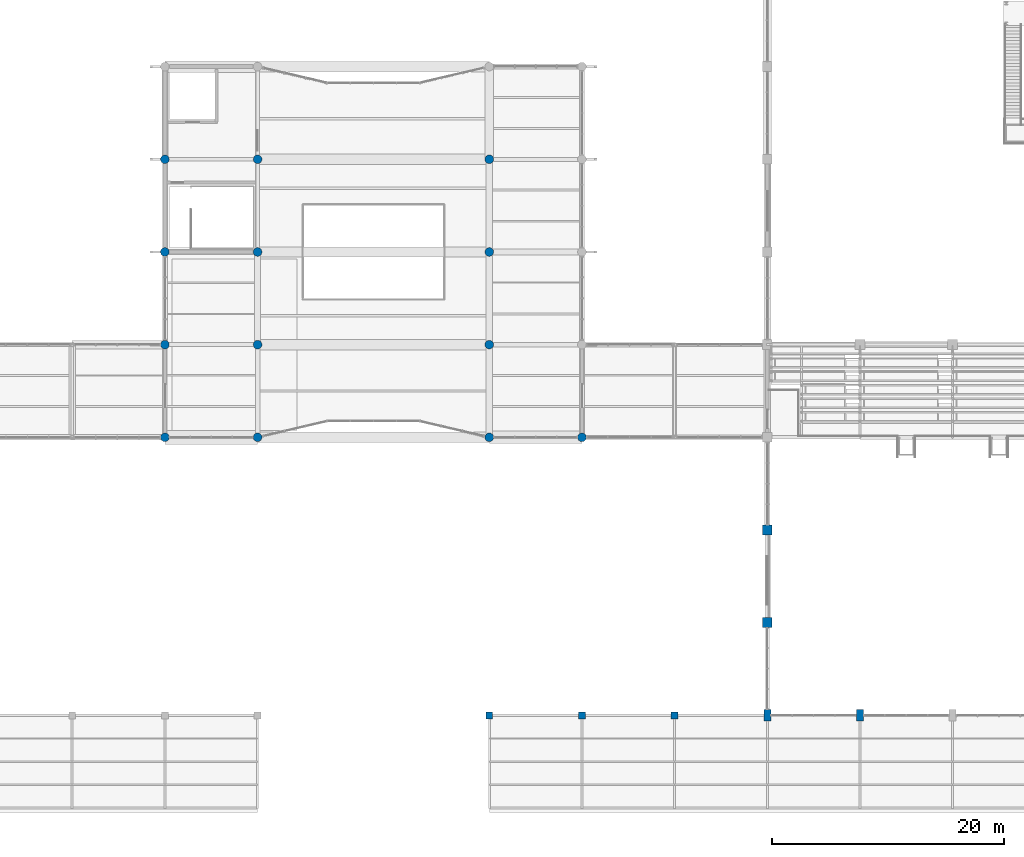
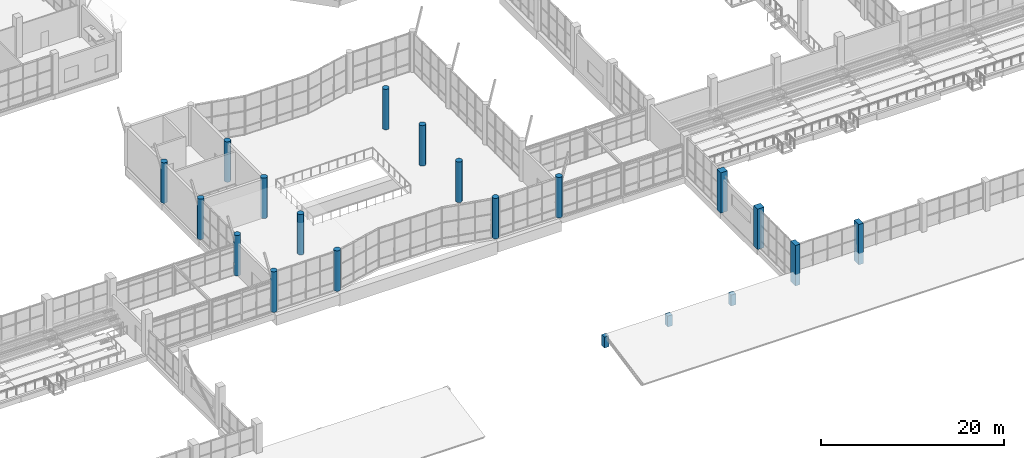
# One storey, part 3 of 122: 20 columns.
"""IFC4 building model written with IfcOpenShell, lengths in metres."""

from ifc_helpers import new_model, si_unit, direction, frame, origin, origin_2d, place, context, subcontext, project, spatial, rectangle, circle, extrude, material, material_profile, profile_set, type_object, element, save


model = new_model("IFC4")

# Units and contexts
model_context = context("Model", 3, precision=1e-05, world=origin(), true_north=direction((0.0, 1.0)))
body_context = subcontext(model_context, "Body", "Model", "MODEL_VIEW")
ifc_project = project(units=[si_unit("LENGTHUNIT", "METRE"), si_unit("AREAUNIT", "SQUARE_METRE"), si_unit("VOLUMEUNIT", "CUBIC_METRE"), si_unit("PLANEANGLEUNIT", "RADIAN"), si_unit("MASSUNIT", "GRAM", prefix="KILO")], contexts=[model_context])

# Site, building, storey
site_placement = place(None, origin())
site = spatial("IfcSite", under=ifc_project, at=site_placement, CompositionType="ELEMENT")
building_placement = place(site_placement, origin())
building = spatial("IfcBuilding", under=site, at=building_placement, Name="Tenunan Teduh Sports Hall", CompositionType="ELEMENT")
storey_placement = place(building_placement, frame((0.0, 0.0, 5.39990234375)))
storey = spatial("IfcBuildingStorey", under=building, at=storey_placement, Name="L01", CompositionType="ELEMENT", Elevation=5.39990234375)

# Columns
ifc_material_1 = material(Name="Concrete C40/50", Category="concrete")
ifc_material_profile_1 = material_profile(ifc_material_1, rectangle(XDim=0.60009765625, YDim=0.60009765625, at=origin_2d()), Name="RC 600x600")
ifc_profile_set_1 = profile_set([ifc_material_profile_1], Name="Concrete C40/50")
column_type_1 = type_object("IfcColumnType", Name="COL-RC-600", PredefinedType="COLUMN", material=ifc_profile_set_1)
for number, where, z_axis, x_axis, name in (
    (1, (98.0, 14.0, 0.0), (0.0, 0.0, 1.0), (1.0, 0.0, 0.0), "COL-C-09-L01-121"),
    (2, (106.0, 14.0, 0.0), (0.0, 0.0, 1.0), (1.0, 0.0, 0.0), "COL-C-09-L01-131"),
    (3, (114.0, 14.0, 0.0), (0.0, 0.0, 1.0), (1.0, 0.0, 0.0), "COL-C-09-L01-143"),
):
    element("IfcColumn", number, at=place(storey_placement, frame(where, z_axis=z_axis, x_axis=x_axis)), inside=storey, type_object=column_type_1, Name=name, PredefinedType="COLUMN", context=body_context, shape_type="SweptSolid", body=[
        extrude(rectangle(XDim=0.60009765625, YDim=0.60009765625, at=origin_2d()), origin(), (0.0, 0.0, 1.0), 1.4501953125),
    ])
ifc_material_2 = material(Name="Concrete C40/50", Category="concrete")
ifc_material_profile_2 = material_profile(ifc_material_2, rectangle(XDim=0.60009765625, YDim=1.0, at=origin_2d()), Name="RC 600x1000")
ifc_profile_set_2 = profile_set([ifc_material_profile_2], Name="Concrete C40/50")
column_type_2 = type_object("IfcColumnType", Name="COL-RC-600x1000", PredefinedType="COLUMN", material=ifc_profile_set_2)
for number, where, z_axis, x_axis, name in (
    (4, (122.0, 14.0, 0.0), (0.0, 0.0, 1.0), (1.0, 0.0, 0.0), "COL-C-16-L01-152"),
    (5, (130.0, 14.0, 0.0), (0.0, 0.0, 1.0), (1.0, 0.0, 0.0), "COL-C-16-L01-167"),
):
    element("IfcColumn", number, at=place(storey_placement, frame(where, z_axis=z_axis, x_axis=x_axis)), inside=storey, type_object=column_type_2, Name=name, PredefinedType="COLUMN", context=body_context, shape_type="SweptSolid", body=[
        extrude(rectangle(XDim=0.60009765625, YDim=1.0, at=origin_2d()), origin(), (0.0, 0.0, 1.0), 5.400146484375),
    ])
ifc_material_3 = material(Name="Concrete C40/50", Category="concrete")
ifc_material_profile_3 = material_profile(ifc_material_3, rectangle(XDim=0.85009765625, YDim=0.85009765625, at=origin_2d()), Name="RC 850x850")
ifc_profile_set_3 = profile_set([ifc_material_profile_3], Name="Concrete C40/50")
column_type_3 = type_object("IfcColumnType", Name="COL-RC-850", PredefinedType="COLUMN", material=ifc_profile_set_3)
for number, where, z_axis, x_axis, name in (
    (6, (122.0, 22.0, 0.0), (0.0, 0.0, 1.0), (1.0, 0.0, 0.0), "COL-C-04-L01-153"),
    (7, (122.0, 30.0, 0.0), (0.0, 0.0, 1.0), (1.0, 0.0, 0.0), "COL-C-04-L01-154"),
):
    element("IfcColumn", number, at=place(storey_placement, frame(where, z_axis=z_axis, x_axis=x_axis)), inside=storey, type_object=column_type_3, Name=name, PredefinedType="COLUMN", context=body_context, shape_type="SweptSolid", body=[
        extrude(rectangle(XDim=0.85009765625, YDim=0.85009765625, at=origin_2d()), origin(), (0.0, 0.0, 1.0), 5.400146484375),
    ])
ifc_material_4 = material(Name="Concrete C40/50", Category="concrete")
ifc_material_profile_4 = material_profile(ifc_material_4, circle(Radius=0.375, at=origin_2d()), Name="RCC D750")
ifc_profile_set_4 = profile_set([ifc_material_profile_4], Name="Concrete C40/50")
column_type_4 = type_object("IfcColumnType", Name="COL-RCC-750", PredefinedType="COLUMN", material=ifc_profile_set_4)
for number, where, z_axis, x_axis, name in (
    (8, (70.0, 38.0, 0.0), (0.0, 0.0, 1.0), (1.0, 0.0, 0.0), "COL-C-20-L01-099"),
    (9, (70.0, 46.0, 0.0), (0.0, 0.0, 1.0), (1.0, 0.0, 0.0), "COL-C-20-L01-100"),
    (10, (70.0, 54.0, 0.0), (0.0, 0.0, 1.0), (1.0, 0.0, 0.0), "COL-C-20-L01-101"),
    (11, (70.0, 62.0, 0.0), (0.0, 0.0, 1.0), (1.0, 0.0, 0.0), "COL-C-20-L01-102"),
    (12, (78.0, 38.0, 0.0), (0.0, 0.0, 1.0), (1.0, 0.0, 0.0), "COL-C-20-L01-111"),
    (13, (78.0, 46.0, 0.0), (0.0, 0.0, 1.0), (1.0, 0.0, 0.0), "COL-C-20-L01-112"),
    (14, (78.0, 54.0, 0.0), (0.0, 0.0, 1.0), (1.0, 0.0, 0.0), "COL-C-20-L01-113"),
    (15, (78.0, 62.0, 0.0), (0.0, 0.0, 1.0), (1.0, 0.0, 0.0), "COL-C-20-L01-114"),
    (16, (98.0, 38.0, 0.0), (0.0, 0.0, 1.0), (1.0, 0.0, 0.0), "COL-C-20-L01-122"),
    (17, (98.0, 46.0, 0.0), (0.0, 0.0, 1.0), (1.0, 0.0, 0.0), "COL-C-20-L01-123"),
    (18, (98.0, 54.0, 0.0), (0.0, 0.0, 1.0), (1.0, 0.0, 0.0), "COL-C-20-L01-124"),
    (19, (98.0, 62.0, 0.0), (0.0, 0.0, 1.0), (1.0, 0.0, 0.0), "COL-C-20-L01-125"),
    (20, (106.0, 38.0, 0.0), (0.0, 0.0, 1.0), (1.0, 0.0, 0.0), "COL-C-20-L01-132"),
):
    element("IfcColumn", number, at=place(storey_placement, frame(where, z_axis=z_axis, x_axis=x_axis)), inside=storey, type_object=column_type_4, Name=name, PredefinedType="COLUMN", context=body_context, shape_type="SweptSolid", body=[
        extrude(circle(Radius=0.375, at=origin_2d()), origin(), (0.0, 0.0, 1.0), 5.400146484375),
    ])

save(model, "model.ifc")
